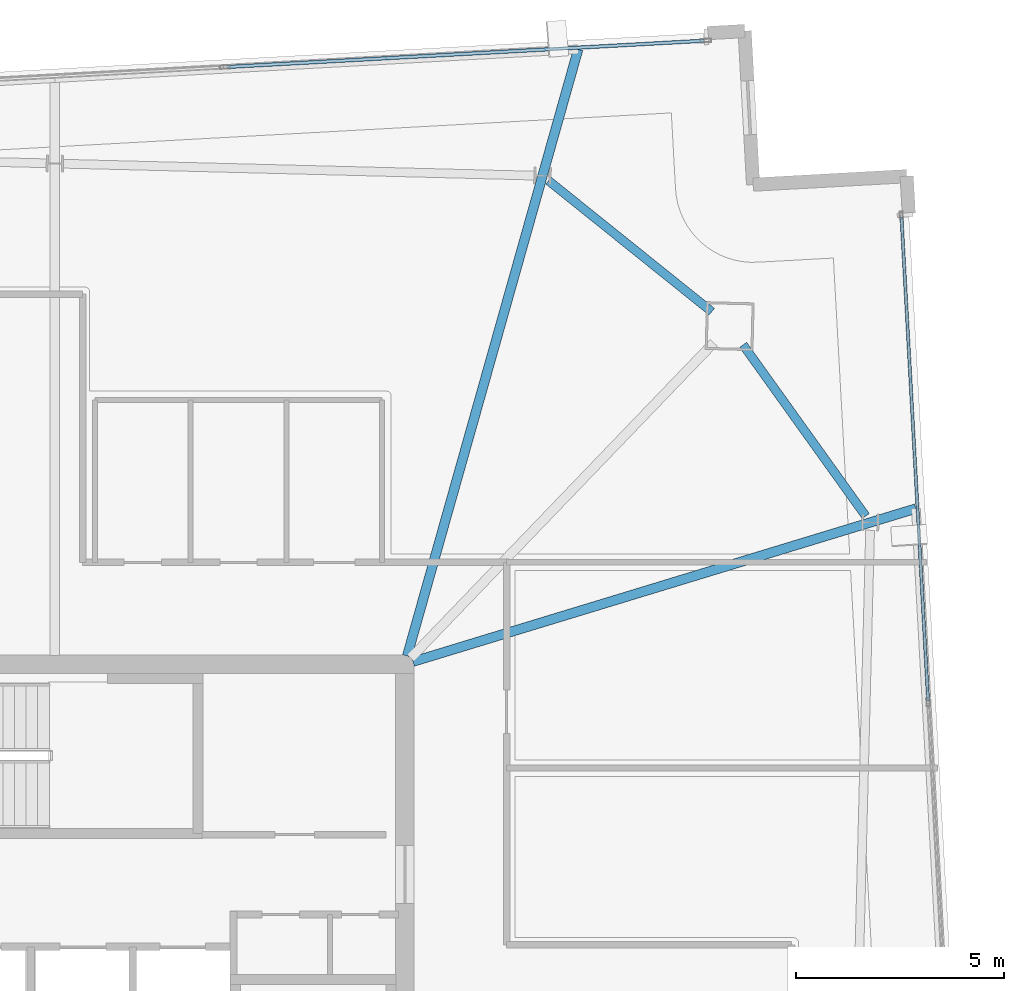
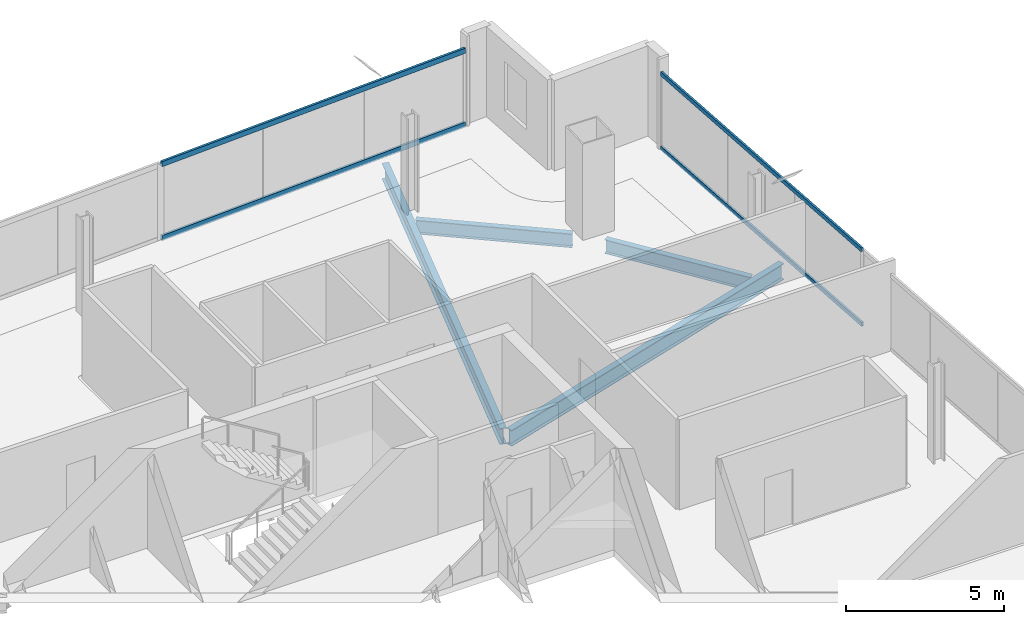
# One storey, part 14 of 23: 4 beams, 4 members, 2 elements without a shape of their own.
"""IFC4 building model written with IfcOpenShell, lengths in metres."""

from ifc_helpers import new_model, si_unit, direction, frame, origin, origin_2d, place, context, subcontext, project, spatial, hollow_rectangle, i_section, extrude, material, material_profile, profile_set, type_object, element, aggregate, save


model = new_model("IFC4")

# Units and contexts
model_context = context("Model", 3, precision=1e-05, world=origin(), true_north=direction((0.0, 1.0)))
body_context = subcontext(model_context, "Body", "Model", "MODEL_VIEW")
ifc_project = project(units=[si_unit("LENGTHUNIT", "METRE"), si_unit("AREAUNIT", "SQUARE_METRE"), si_unit("VOLUMEUNIT", "CUBIC_METRE"), si_unit("PLANEANGLEUNIT", "RADIAN"), si_unit("MASSUNIT", "GRAM", prefix="KILO")], contexts=[model_context])

# Site, building, storey
site_placement = place(None, origin())
site = spatial("IfcSite", under=ifc_project, at=site_placement, CompositionType="ELEMENT")
building_placement = place(site_placement, origin())
building = spatial("IfcBuilding", under=site, at=building_placement, Name="Haldenkirk Collegiate Tower", CompositionType="ELEMENT")
storey_placement = place(building_placement, frame((0.0, 0.0, 340.199951171875)))
storey = spatial("IfcBuildingStorey", under=building, at=storey_placement, Name="L86", CompositionType="ELEMENT", Elevation=340.199951171875)

# Beams
ifc_material_1 = material(Name="Steel ASTM A992 Grade 50", Category="steel")
ifc_material_profile_1 = material_profile(ifc_material_1, i_section(OverallWidth=0.22998046875, OverallDepth=0.616943359375, WebThickness=0.01318359375, FlangeThickness=0.022216796875, at=origin_2d()), Name="W24X94")
ifc_profile_set_1 = profile_set([ifc_material_profile_1], Name="Steel ASTM A992 Grade 50")
beam_type_1 = type_object("IfcBeamType", Name="BM-GIRDER-W24X94", PredefinedType="BEAM", material=ifc_profile_set_1)
beam_1_placement = place(storey_placement, frame((57.2919921875, 37.742431640625, -0.568359375), z_axis=(-0.956646516732, -0.291251509908, 0.0), x_axis=(0.291251509908, -0.956646516732, 0.0)))
element("IfcBeam", 1, at=beam_1_placement, inside=storey, type_object=beam_type_1, Name="L86 primary floor girder 07", PredefinedType="BEAM", context=body_context, shape_type="SweptSolid", body=[
    extrude(i_section(OverallWidth=0.22998046875, OverallDepth=0.616943359375, WebThickness=0.01318359375, FlangeThickness=0.022216796875, at=origin_2d()), origin(), (0.0, 0.0, 1.0), 12.64404296875),
])
beam_2_placement = place(storey_placement, frame((49.169677734375, 48.7880859375, -0.568359375), z_axis=(-0.271377924854, -0.962472868138, 0.0), x_axis=(0.962472868138, -0.271377924854, 0.0)))
element("IfcBeam", 2, at=beam_2_placement, inside=storey, type_object=beam_type_1, Name="L86 primary floor girder 08", PredefinedType="BEAM", context=body_context, shape_type="SweptSolid", body=[
    extrude(i_section(OverallWidth=0.22998046875, OverallDepth=0.616943359375, WebThickness=0.01318359375, FlangeThickness=0.022216796875, at=origin_2d()), origin(), (0.0, 0.0, 1.0), 15.15966796875),
])
ifc_material_profile_2 = material_profile(ifc_material_1, i_section(OverallWidth=0.2099609375, OverallDepth=0.537109375, WebThickness=0.010986328125, FlangeThickness=0.017333984375, at=origin_2d()), Name="W21X68")
ifc_profile_set_2 = profile_set([ifc_material_profile_2], Name="Steel ASTM A992 Grade 50")
beam_type_2 = type_object("IfcBeamType", Name="BM-SPANDREL-W21X68", PredefinedType="SPANDREL", material=ifc_profile_set_2)
beam_3_placement = place(storey_placement, frame((56.085693359375, 37.561279296875, -0.528564453125), z_axis=(-0.582300220922, 0.812973832737, 0.0), x_axis=(-0.812973832737, -0.582300220922, 0.0)))
element("IfcBeam", 3, at=beam_3_placement, inside=storey, type_object=beam_type_2, Name="L86 perimeter spandrel beam 04", PredefinedType="SPANDREL", context=body_context, shape_type="SweptSolid", body=[
    extrude(i_section(OverallWidth=0.2099609375, OverallDepth=0.537109375, WebThickness=0.010986328125, FlangeThickness=0.017333984375, at=origin_2d()), origin(), (0.0, 0.0, 1.0), 5.064453125),
])
beam_4_placement = place(storey_placement, frame((52.380859375, 42.477294921875, -0.528564453125), z_axis=(-0.779721728928, 0.626126205678, 0.0), x_axis=(-0.626126205678, -0.779721728928, 0.0)))
element("IfcBeam", 4, at=beam_4_placement, inside=storey, type_object=beam_type_2, Name="L86 perimeter spandrel beam 05", PredefinedType="SPANDREL", context=body_context, shape_type="SweptSolid", body=[
    extrude(i_section(OverallWidth=0.2099609375, OverallDepth=0.537109375, WebThickness=0.010986328125, FlangeThickness=0.017333984375, at=origin_2d()), origin(), (0.0, 0.0, 1.0), 5.03076171875),
])

# Curtain wall, members
ifc_material_2 = material(Name="Anodised architectural bronze aluminium", Category="aluminium")
curtain_wall_type_1 = type_object("IfcCurtainWallType", Name="CW-SYS2-CONCAVE", PredefinedType="USERDEFINED", material=ifc_material_2)
curtain_wall_1_placement = place(storey_placement, origin())
curtain_wall_1 = element("IfcCurtainWall", 5, at=curtain_wall_1_placement, inside=storey, type_object=curtain_wall_type_1, Name="L86 South concave recessed bronze-anodised curtain wall", ObjectType="UNITISED CURTAIN WALL", PredefinedType="USERDEFINED")
ifc_material_profile_3 = material_profile(ifc_material_2, hollow_rectangle(XDim=0.074951171875, YDim=0.159912109375, WallThickness=0.0048828125, at=origin_2d()), Name="CW-TRN-02")
ifc_profile_set_3 = profile_set([ifc_material_profile_3], Name="Anodised architectural bronze aluminium")
member_type_1 = type_object("IfcMemberType", Name="CW-TRN-02", PredefinedType="USERDEFINED", material=ifc_profile_set_3)
member_1_placement = place(storey_placement, frame((56.946044921875, 44.75439453125, 0.03759765625), z_axis=(0.054947911005, -0.998489222314, 0.0), x_axis=(0.998489222314, 0.054947911005, 0.0)))
member_1 = element("IfcMember", 6, at=member_1_placement, type_object=member_type_1, Name="CW-02 transom 1.1", ObjectType="TRANSOM", PredefinedType="USERDEFINED", context=body_context, shape_type="SweptSolid", body=[
    extrude(hollow_rectangle(XDim=0.074951171875, YDim=0.159912109375, WallThickness=0.0048828125, at=origin_2d()), origin(), (0.0, 0.0, 1.0), 11.654296875),
])
member_2_placement = place(storey_placement, frame((56.946044921875, 44.75439453125, 2.91064453125), z_axis=(0.054947911005, -0.998489222314, 0.0), x_axis=(0.998489222314, 0.054947911005, 0.0)))
member_2 = element("IfcMember", 7, at=member_2_placement, type_object=member_type_1, Name="CW-02 transom 1.2", ObjectType="TRANSOM", PredefinedType="USERDEFINED", context=body_context, shape_type="SweptSolid", body=[
    extrude(hollow_rectangle(XDim=0.074951171875, YDim=0.159912109375, WallThickness=0.0048828125, at=origin_2d()), origin(), (0.0, 0.0, 1.0), 11.654296875),
])
aggregate(curtain_wall_1, [member_1, member_2])

curtain_wall_type_2 = type_object("IfcCurtainWallType", Name="CW-SYS1B-CONVEX-HI", PredefinedType="USERDEFINED", material=ifc_material_2)
curtain_wall_2_placement = place(storey_placement, origin())
curtain_wall_2 = element("IfcCurtainWall", 8, at=curtain_wall_2_placement, inside=storey, type_object=curtain_wall_type_2, Name="L86 Upper tower high-wind convex bronze unitised curtain wall", ObjectType="UNITISED CURTAIN WALL", PredefinedType="USERDEFINED")
ifc_material_profile_4 = material_profile(ifc_material_2, hollow_rectangle(XDim=0.0849609375, YDim=0.199951171875, WallThickness=0.0048828125, at=origin_2d()), Name="CW-TRN-1B")
ifc_profile_set_4 = profile_set([ifc_material_profile_4], Name="Anodised architectural bronze aluminium")
member_type_2 = type_object("IfcMemberType", Name="CW-TRN-1B", PredefinedType="USERDEFINED", material=ifc_profile_set_4)
member_3_placement = place(storey_placement, frame((40.720703125, 48.36328125, 0.04248046875), z_axis=(0.998490066937, 0.054932560729, 0.0), x_axis=(-0.054932560729, 0.998490066937, 0.0)))
member_3 = element("IfcMember", 9, at=member_3_placement, type_object=member_type_2, Name="CW-1B transom 3.1", ObjectType="TRANSOM", PredefinedType="USERDEFINED", context=body_context, shape_type="SweptSolid", body=[
    extrude(hollow_rectangle(XDim=0.0849609375, YDim=0.199951171875, WallThickness=0.0048828125, at=origin_2d()), origin(), (0.0, 0.0, 1.0), 11.49755859375),
])
member_4_placement = place(storey_placement, frame((40.720703125, 48.36328125, 2.905517578125), z_axis=(0.998490066937, 0.054932560729, 0.0), x_axis=(-0.054932560729, 0.998490066937, 0.0)))
member_4 = element("IfcMember", 10, at=member_4_placement, type_object=member_type_2, Name="CW-1B transom 3.2", ObjectType="TRANSOM", PredefinedType="USERDEFINED", context=body_context, shape_type="SweptSolid", body=[
    extrude(hollow_rectangle(XDim=0.0849609375, YDim=0.199951171875, WallThickness=0.0048828125, at=origin_2d()), origin(), (0.0, 0.0, 1.0), 11.49755859375),
])
aggregate(curtain_wall_2, [member_3, member_4])

save(model, "model.ifc")
